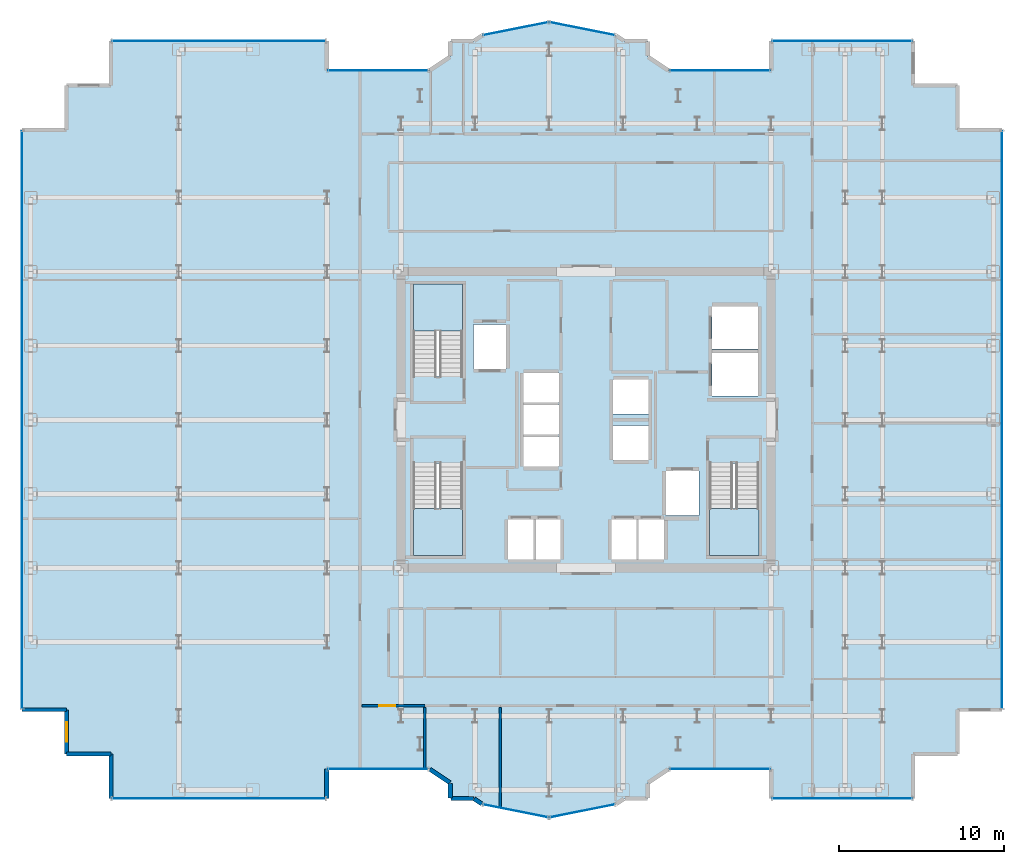
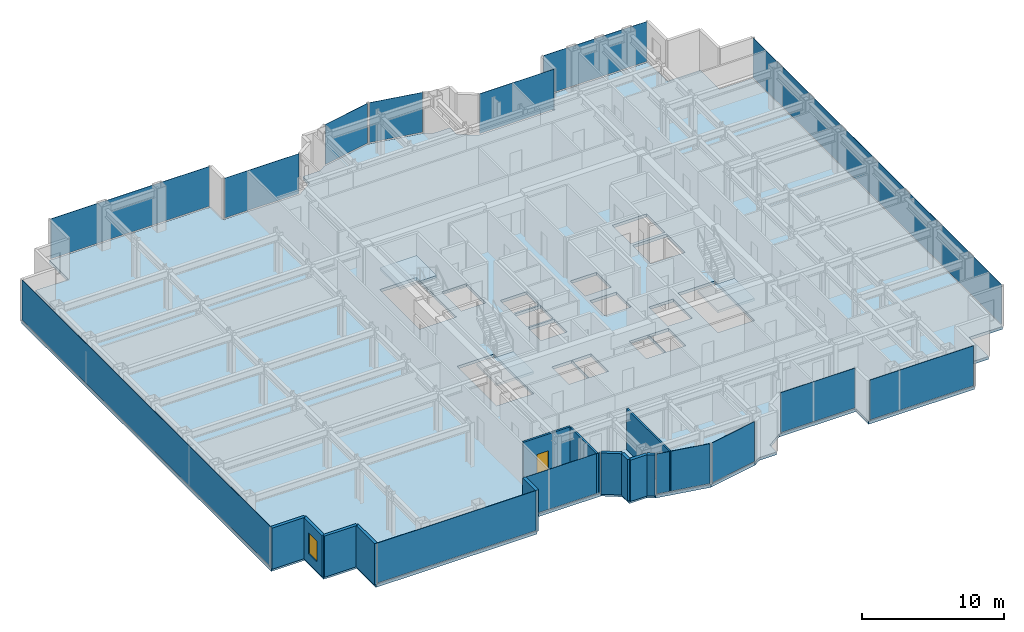
# One storey, part 16 of 23: 14 plates, 12 walls, 4 slabs, 1 door, 1 window, 2 openings, 17 elements without a shape of their own.
"""IFC4 building model written with IfcOpenShell, lengths in metres."""

from ifc_helpers import new_model, si_unit, direction, frame, frame_2d, origin, origin_2d, place, context, subcontext, project, spatial, polyline, rectangle, outline, extrude, source, transform, mapped, material, layer, layer_set, type_object, element, fill, aggregate, save


model = new_model("IFC4")

# Units and contexts
model_context = context("Model", 3, precision=1e-05, world=origin(), true_north=direction((0.0, 1.0)))
body_context = subcontext(model_context, "Body", "Model", "MODEL_VIEW")
ifc_project = project(units=[si_unit("LENGTHUNIT", "METRE"), si_unit("AREAUNIT", "SQUARE_METRE"), si_unit("VOLUMEUNIT", "CUBIC_METRE"), si_unit("PLANEANGLEUNIT", "RADIAN"), si_unit("MASSUNIT", "GRAM", prefix="KILO")], contexts=[model_context])

# Site, building, storey
site_placement = place(None, origin())
site = spatial("IfcSite", under=ifc_project, at=site_placement, CompositionType="ELEMENT")
building_placement = place(site_placement, origin())
building = spatial("IfcBuilding", under=site, at=building_placement, Name="Nefas-Gora Pilgrimage Tower", CompositionType="ELEMENT")
storey_placement = place(building_placement, frame((0.0, 0.0, 175.39990234375)))
storey = spatial("IfcBuildingStorey", under=building, at=storey_placement, Name="L43", CompositionType="ELEMENT", Elevation=175.39990234375)

# Slab
ifc_material_1 = material(Name="Concrete C40/50", Category="concrete")
ifc_layer_1 = layer(ifc_material_1, 0.25)
ifc_layer_set_1 = layer_set([ifc_layer_1], Name="Concrete C40/50")
slab_type_1 = type_object("IfcSlabType", Name="SLB-TWR-250", PredefinedType="FLOOR", material=ifc_layer_set_1)
slab_1_placement = place(storey_placement, frame((0.0, 0.0, -0.25)))
element("IfcSlab", 1, at=slab_1_placement, inside=storey, type_object=slab_type_1, Name="L43 Structural Floor Slab", PredefinedType="FLOOR", context=body_context, shape_type="SweptSolid", body=[
    extrude(outline(polyline([(5.01806640625, -21.219970703125), (11.25, -21.219970703125), (11.25, -23.02001953125), (19.8701171875, -23.02001953125), (19.8701171875, -20.320068359375), (22.570068359375, -20.320068359375), (22.570068359375, -17.6201171875), (25.27001953125, -17.6201171875), (25.27001953125, 17.6201171875), (22.570068359375, 17.6201171875), (22.570068359375, 20.320068359375), (19.8701171875, 20.320068359375), (19.8701171875, 23.02001953125), (11.25, 23.02001953125), (11.25, 21.219970703125), (5.01806640625, 21.219970703125), (3.75, 22.0673828125), (3.75, 23.02001953125), (2.32421875, 23.02001953125), (1.807373046875, 23.365234375), (-2.25, 24.17236328125), (-6.307373046875, 23.365234375), (-6.82421875, 23.02001953125), (-8.25, 23.02001953125), (-8.25, 22.0673828125), (-9.51806640625, 21.219970703125), (-15.75, 21.219970703125), (-15.75, 23.02001953125), (-28.8701171875, 23.02001953125), (-28.8701171875, 20.320068359375), (-31.570068359375, 20.320068359375), (-31.570068359375, 17.6201171875), (-34.27001953125, 17.6201171875), (-34.27001953125, -17.6201171875), (-31.570068359375, -17.6201171875), (-31.570068359375, -20.320068359375), (-28.8701171875, -20.320068359375), (-28.8701171875, -23.02001953125), (-15.75, -23.02001953125), (-15.75, -21.219970703125), (-9.51806640625, -21.219970703125), (-8.25, -22.0673828125), (-8.25, -23.02001953125), (-6.82421875, -23.02001953125), (-6.307373046875, -23.365234375), (-2.25, -24.17236328125), (1.807373046875, -23.365234375), (2.32421875, -23.02001953125), (3.75, -23.02001953125), (3.75, -22.0673828125), (5.01806640625, -21.219970703125)]), holes=[polyline([(-10.5, 2.639892578125), (-10.5, 8.25), (-7.5, 8.25), (-7.5, 2.639892578125), (-10.5, 2.639892578125)]), polyline([(10.5, -2.639892578125), (10.5, -8.25), (7.5, -8.25), (7.5, -2.639892578125), (10.5, -2.639892578125)]), polyline([(-7.5, -2.639892578125), (-7.5, -8.25), (-10.5, -8.25), (-10.5, -2.639892578125), (-7.5, -2.639892578125)]), polyline([(-6.85009765625, 5.800048828125), (-4.85009765625, 5.800048828125), (-4.85009765625, 3.10009765625), (-6.85009765625, 3.10009765625), (-6.85009765625, 5.800048828125)]), polyline([(4.85009765625, -3.10009765625), (6.85009765625, -3.10009765625), (6.85009765625, -5.800048828125), (4.85009765625, -5.800048828125), (4.85009765625, -3.10009765625)]), polyline([(7.64990234375, 4.050048828125), (10.449951171875, 4.050048828125), (10.449951171875, 1.449951171875), (7.64990234375, 1.449951171875), (7.64990234375, 4.050048828125)]), polyline([(7.64990234375, 6.89990234375), (10.449951171875, 6.89990234375), (10.449951171875, 4.300048828125), (7.64990234375, 4.300048828125), (7.64990234375, 6.89990234375)]), polyline([(-4.75, -6.050048828125), (-3.14990234375, -6.050048828125), (-3.14990234375, -8.5), (-4.75, -8.5), (-4.75, -6.050048828125)]), polyline([(-3.10009765625, -6.050048828125), (-1.550048828125, -6.050048828125), (-1.550048828125, -8.5), (-3.10009765625, -8.5), (-3.10009765625, -6.050048828125)]), polyline([(1.550048828125, -6.050048828125), (3.10009765625, -6.050048828125), (3.10009765625, -8.5), (1.550048828125, -8.5), (1.550048828125, -6.050048828125)]), polyline([(3.14990234375, -6.050048828125), (4.75, -6.050048828125), (4.75, -8.5), (3.14990234375, -8.5), (3.14990234375, -6.050048828125)]), polyline([(-3.800048828125, -1.050048828125), (-1.64990234375, -1.050048828125), (-1.64990234375, -2.85009765625), (-3.800048828125, -2.85009765625), (-3.800048828125, -1.050048828125)]), polyline([(-3.800048828125, 0.89990234375), (-1.64990234375, 0.89990234375), (-1.64990234375, -0.89990234375), (-3.800048828125, -0.89990234375), (-3.800048828125, 0.89990234375)]), polyline([(-3.800048828125, 2.85009765625), (-1.64990234375, 2.85009765625), (-1.64990234375, 1.050048828125), (-3.800048828125, 1.050048828125), (-3.800048828125, 2.85009765625)]), polyline([(1.64990234375, -0.35009765625), (3.800048828125, -0.35009765625), (3.800048828125, -2.449951171875), (1.64990234375, -2.449951171875), (1.64990234375, -0.35009765625)]), polyline([(1.64990234375, 2.449951171875), (3.800048828125, 2.449951171875), (3.800048828125, 0.35009765625), (1.64990234375, 0.35009765625), (1.64990234375, 2.449951171875)])]), origin(), (0.0, 0.0, 1.0), 0.25),
])

# Stair, slab
ifc_material_2 = material(Name="Concrete C45/55", Category="concrete")
stair_type = type_object("IfcStairType", Name="STR-1400-R1727", PredefinedType="HALF_TURN_STAIR", material=ifc_material_2)
stair_1_placement = place(storey_placement, origin())
stair_1 = element("IfcStair", 2, at=stair_1_placement, inside=storey, type_object=stair_type, Name="L43 Pressurised Tower Exit Stair ST-01", PredefinedType="HALF_TURN_STAIR")
ifc_layer_2 = layer(ifc_material_1, 0.199951171875)
ifc_layer_set_2 = layer_set([ifc_layer_2], Name="Concrete C40/50")
slab_type_2 = type_object("IfcSlabType", Name="STR-LAND-200", PredefinedType="LANDING", material=ifc_layer_set_2)
slab_2_placement = place(storey_placement, frame((0.0, 0.0, 1.7001953125)))
slab_2 = element("IfcSlab", 3, at=slab_2_placement, type_object=slab_type_2, Name="ST-01 landing 1", PredefinedType="LANDING", context=body_context, shape_type="SweptSolid", body=[
    extrude(outline(polyline([(-7.5, 5.39990234375), (-7.5, 8.25), (-10.5, 8.25), (-10.5, 5.39990234375), (-7.5, 5.39990234375)])), origin(), (0.0, 0.0, 1.0), 0.199951171875),
])
aggregate(stair_1, [slab_2])

stair_2_placement = place(storey_placement, origin())
stair_2 = element("IfcStair", 4, at=stair_2_placement, inside=storey, type_object=stair_type, Name="L43 Pressurised Tower Exit Stair ST-02", PredefinedType="HALF_TURN_STAIR")
slab_3_placement = place(storey_placement, frame((0.0, 0.0, 1.7001953125)))
slab_3 = element("IfcSlab", 5, at=slab_3_placement, type_object=slab_type_2, Name="ST-02 landing 1", PredefinedType="LANDING", context=body_context, shape_type="SweptSolid", body=[
    extrude(outline(polyline([(7.5, -5.39990234375), (7.5, -8.25), (10.5, -8.25), (10.5, -5.39990234375), (7.5, -5.39990234375)])), origin(), (0.0, 0.0, 1.0), 0.199951171875),
])
aggregate(stair_2, [slab_3])

stair_3_placement = place(storey_placement, origin())
stair_3 = element("IfcStair", 6, at=stair_3_placement, inside=storey, type_object=stair_type, Name="L43 Pressurised Tower Exit Stair ST-03", PredefinedType="HALF_TURN_STAIR")
slab_4_placement = place(storey_placement, frame((0.0, 0.0, 1.7001953125)))
slab_4 = element("IfcSlab", 7, at=slab_4_placement, type_object=slab_type_2, Name="ST-03 landing 1", PredefinedType="LANDING", context=body_context, shape_type="SweptSolid", body=[
    extrude(outline(polyline([(-10.5, -5.39990234375), (-10.5, -8.25), (-7.5, -8.25), (-7.5, -5.39990234375), (-10.5, -5.39990234375)])), origin(), (0.0, 0.0, 1.0), 0.199951171875),
])
aggregate(stair_3, [slab_4])

# Curtain wall, plate
ifc_material_3 = material(Name="Dark ceramic-fritted solar-control aluminium-glass curtain wall", Category="aluminium")
ifc_layer_3 = layer(ifc_material_3, 0.219970703125)
ifc_layer_set_3 = layer_set([ifc_layer_3], Name="Dark ceramic-fritted solar-control aluminium-glass curtain wall")
curtain_wall_type_1 = type_object("IfcCurtainWallType", Name="CW-SYS-5", PredefinedType="NOTDEFINED", material=ifc_layer_set_3)
curtain_wall_1_placement = place(storey_placement, origin())
curtain_wall_1 = element("IfcCurtainWall", 8, at=curtain_wall_1_placement, inside=storey, type_object=curtain_wall_type_1, Name="L43 Unitised Curtain Wall CW5", PredefinedType="NOTDEFINED")
ifc_material_4 = material(Name="Dark ceramic-printed low-e insulated glass", Category="glass")
ifc_layer_4 = layer(ifc_material_4, 0.028076171875)
ifc_layer_set_4 = layer_set([ifc_layer_4], Name="Dark ceramic-printed low-e insulated glass")
plate_type_1 = type_object("IfcPlateType", Name="CWP-PNL-5", PredefinedType="CURTAIN_PANEL", material=ifc_layer_set_4)
shared_shape_1 = source(origin(), body_context, "Body", "SweptSolid", [
    extrude(rectangle(XDim=6.052001953125, YDim=0.028076171875, at=origin_2d()), origin(), (0.0, 0.0, 1.0), 3.43994140625),
])
plate_1_placement = place(storey_placement, frame((8.134033203125, -21.219970703125, 0.10009765625), z_axis=(0.0, 0.0, 1.0), x_axis=(1.0, 0.0, 0.0)))
plate_1 = element("IfcPlate", 9, at=plate_1_placement, type_object=plate_type_1, Name="CW5 Ceramic-Fritted Glazing Panel 1", PredefinedType="CURTAIN_PANEL", context=body_context, shape_type="MappedRepresentation", body=[
    mapped(shared_shape_1, transform((0.0, 0.0, 0.0), x_axis=(1.0, 0.0, 0.0), y_axis=(0.0, 1.0, 0.0), z_axis=(0.0, 0.0, 1.0), scale=1.0)),
])
aggregate(curtain_wall_1, [plate_1])

curtain_wall_2_placement = place(storey_placement, origin())
curtain_wall_2 = element("IfcCurtainWall", 10, at=curtain_wall_2_placement, inside=storey, type_object=curtain_wall_type_1, Name="L43 Unitised Curtain Wall CW5", PredefinedType="NOTDEFINED")
plate_2_placement = place(storey_placement, frame((8.134033203125, 21.219970703125, 0.10009765625), z_axis=(0.0, 0.0, 1.0), x_axis=(-1.0, 0.0, 0.0)))
plate_2 = element("IfcPlate", 11, at=plate_2_placement, type_object=plate_type_1, Name="CW5 Ceramic-Fritted Glazing Panel 1", PredefinedType="CURTAIN_PANEL", context=body_context, shape_type="MappedRepresentation", body=[
    mapped(shared_shape_1, transform((0.0, 0.0, 0.0), x_axis=(1.0, 0.0, 0.0), y_axis=(0.0, 1.0, 0.0), z_axis=(0.0, 0.0, 1.0), scale=1.0)),
])
aggregate(curtain_wall_2, [plate_2])

curtain_wall_3_placement = place(storey_placement, origin())
curtain_wall_3 = element("IfcCurtainWall", 12, at=curtain_wall_3_placement, inside=storey, type_object=curtain_wall_type_1, Name="L43 Unitised Curtain Wall CW5", PredefinedType="NOTDEFINED")
plate_3_placement = place(storey_placement, frame((-12.634033203125, 21.219970703125, 0.10009765625), z_axis=(0.0, 0.0, 1.0), x_axis=(-1.0, 0.0, 0.0)))
plate_3 = element("IfcPlate", 13, at=plate_3_placement, type_object=plate_type_1, Name="CW5 Ceramic-Fritted Glazing Panel 1", PredefinedType="CURTAIN_PANEL", context=body_context, shape_type="MappedRepresentation", body=[
    mapped(shared_shape_1, transform((0.0, 0.0, 0.0), x_axis=(1.0, 0.0, 0.0), y_axis=(0.0, 1.0, 0.0), z_axis=(0.0, 0.0, 1.0), scale=1.0)),
])
aggregate(curtain_wall_3, [plate_3])

curtain_wall_4_placement = place(storey_placement, origin())
curtain_wall_4 = element("IfcCurtainWall", 14, at=curtain_wall_4_placement, inside=storey, type_object=curtain_wall_type_1, Name="L43 Unitised Curtain Wall CW5", PredefinedType="NOTDEFINED")
plate_4_placement = place(storey_placement, frame((-12.634033203125, -21.219970703125, 0.10009765625), z_axis=(0.0, 0.0, 1.0), x_axis=(1.0, 0.0, 0.0)))
plate_4 = element("IfcPlate", 15, at=plate_4_placement, type_object=plate_type_1, Name="CW5 Ceramic-Fritted Glazing Panel 1", PredefinedType="CURTAIN_PANEL", context=body_context, shape_type="MappedRepresentation", body=[
    mapped(shared_shape_1, transform((0.0, 0.0, 0.0), x_axis=(1.0, 0.0, 0.0), y_axis=(0.0, 1.0, 0.0), z_axis=(0.0, 0.0, 1.0), scale=1.0)),
])
aggregate(curtain_wall_4, [plate_4])

curtain_wall_5_placement = place(storey_placement, origin())
curtain_wall_5 = element("IfcCurtainWall", 16, at=curtain_wall_5_placement, inside=storey, type_object=curtain_wall_type_1, Name="L43 Unitised Curtain Wall CW5", PredefinedType="NOTDEFINED")
shared_shape_2 = source(origin(), body_context, "Body", "SweptSolid", [
    extrude(rectangle(XDim=3.956787109375, YDim=0.028076171875, at=origin_2d()), origin(), (0.0, 0.0, 1.0), 3.43994140625),
])
plate_5_placement = place(storey_placement, frame((-0.22119140625, 23.768798828125, 0.10009765625), z_axis=(0.0, 0.0, 1.0), x_axis=(-0.980782896852, 0.195102304554, 0.0)))
plate_5 = element("IfcPlate", 17, at=plate_5_placement, type_object=plate_type_1, Name="CW5 Ceramic-Fritted Glazing Panel 1", PredefinedType="CURTAIN_PANEL", context=body_context, shape_type="MappedRepresentation", body=[
    mapped(shared_shape_2, transform((0.0, 0.0, 0.0), x_axis=(1.0, 0.0, 0.0), y_axis=(0.0, 1.0, 0.0), z_axis=(0.0, 0.0, 1.0), scale=1.0)),
])
aggregate(curtain_wall_5, [plate_5])

curtain_wall_6_placement = place(storey_placement, origin())
curtain_wall_6 = element("IfcCurtainWall", 18, at=curtain_wall_6_placement, inside=storey, type_object=curtain_wall_type_1, Name="L43 Unitised Curtain Wall CW5", PredefinedType="NOTDEFINED")
plate_6_placement = place(storey_placement, frame((-4.278564453125, 23.768798828125, 0.10009765625), z_axis=(0.0, 0.0, 1.0), x_axis=(-0.980782896852, -0.195102304554, 0.0)))
plate_6 = element("IfcPlate", 19, at=plate_6_placement, type_object=plate_type_1, Name="CW5 Ceramic-Fritted Glazing Panel 1", PredefinedType="CURTAIN_PANEL", context=body_context, shape_type="MappedRepresentation", body=[
    mapped(shared_shape_2, transform((0.0, 0.0, 0.0), x_axis=(1.0, 0.0, 0.0), y_axis=(0.0, 1.0, 0.0), z_axis=(0.0, 0.0, 1.0), scale=1.0)),
])
aggregate(curtain_wall_6, [plate_6])

curtain_wall_7_placement = place(storey_placement, origin())
curtain_wall_7 = element("IfcCurtainWall", 20, at=curtain_wall_7_placement, inside=storey, type_object=curtain_wall_type_1, Name="L43 Unitised Curtain Wall CW5", PredefinedType="NOTDEFINED")
plate_7_placement = place(storey_placement, frame((-4.278564453125, -23.768798828125, 0.10009765625), z_axis=(0.0, 0.0, 1.0), x_axis=(0.980782896852, -0.195102304554, 0.0)))
plate_7 = element("IfcPlate", 21, at=plate_7_placement, type_object=plate_type_1, Name="CW5 Ceramic-Fritted Glazing Panel 1", PredefinedType="CURTAIN_PANEL", context=body_context, shape_type="MappedRepresentation", body=[
    mapped(shared_shape_2, transform((0.0, 0.0, 0.0), x_axis=(1.0, 0.0, 0.0), y_axis=(0.0, 1.0, 0.0), z_axis=(0.0, 0.0, 1.0), scale=1.0)),
])
aggregate(curtain_wall_7, [plate_7])

curtain_wall_8_placement = place(storey_placement, origin())
curtain_wall_8 = element("IfcCurtainWall", 22, at=curtain_wall_8_placement, inside=storey, type_object=curtain_wall_type_1, Name="L43 Unitised Curtain Wall CW5", PredefinedType="NOTDEFINED")
plate_8_placement = place(storey_placement, frame((-0.221435546875, -23.768798828125, 0.10009765625), z_axis=(0.0, 0.0, 1.0), x_axis=(0.980782896852, 0.195102304554, 0.0)))
plate_8 = element("IfcPlate", 23, at=plate_8_placement, type_object=plate_type_1, Name="CW5 Ceramic-Fritted Glazing Panel 1", PredefinedType="CURTAIN_PANEL", context=body_context, shape_type="MappedRepresentation", body=[
    mapped(shared_shape_2, transform((0.0, 0.0, 0.0), x_axis=(1.0, 0.0, 0.0), y_axis=(0.0, 1.0, 0.0), z_axis=(0.0, 0.0, 1.0), scale=1.0)),
])
aggregate(curtain_wall_8, [plate_8])

ifc_layer_5 = layer(ifc_material_3, 0.219970703125)
ifc_layer_set_5 = layer_set([ifc_layer_5], Name="Dark ceramic-fritted solar-control aluminium-glass curtain wall")
curtain_wall_type_2 = type_object("IfcCurtainWallType", Name="CW-SYS-3", PredefinedType="NOTDEFINED", material=ifc_layer_set_5)
curtain_wall_9_placement = place(storey_placement, origin())
curtain_wall_9 = element("IfcCurtainWall", 24, at=curtain_wall_9_placement, inside=storey, type_object=curtain_wall_type_2, Name="L43 Unitised Curtain Wall CW3", PredefinedType="NOTDEFINED")
ifc_layer_6 = layer(ifc_material_4, 0.033935546875)
ifc_layer_set_6 = layer_set([ifc_layer_6], Name="Dark ceramic-printed low-e insulated glass")
plate_type_2 = type_object("IfcPlateType", Name="CWP-PNL-3", PredefinedType="CURTAIN_PANEL", material=ifc_layer_set_6)
shared_shape_3 = source(origin(), body_context, "Body", "SweptSolid", [
    extrude(rectangle(XDim=8.43994140625, YDim=0.033935546875, at=origin_2d()), origin(), (0.0, 0.0, 1.0), 3.43994140625),
])
plate_9_placement = place(storey_placement, frame((15.56005859375, -23.02001953125, 0.10009765625), z_axis=(0.0, 0.0, 1.0), x_axis=(1.0, 0.0, 0.0)))
plate_9 = element("IfcPlate", 25, at=plate_9_placement, type_object=plate_type_2, Name="CW3 Ceramic-Fritted Glazing Panel 1", PredefinedType="CURTAIN_PANEL", context=body_context, shape_type="MappedRepresentation", body=[
    mapped(shared_shape_3, transform((0.0, 0.0, 0.0), x_axis=(1.0, 0.0, 0.0), y_axis=(0.0, 1.0, 0.0), z_axis=(0.0, 0.0, 1.0), scale=1.0)),
])
aggregate(curtain_wall_9, [plate_9])

curtain_wall_10_placement = place(storey_placement, origin())
curtain_wall_10 = element("IfcCurtainWall", 26, at=curtain_wall_10_placement, inside=storey, type_object=curtain_wall_type_2, Name="L43 Unitised Curtain Wall CW3", PredefinedType="NOTDEFINED")
plate_10_placement = place(storey_placement, frame((15.56005859375, 23.02001953125, 0.10009765625), z_axis=(0.0, 0.0, 1.0), x_axis=(-1.0, 0.0, 0.0)))
plate_10 = element("IfcPlate", 27, at=plate_10_placement, type_object=plate_type_2, Name="CW3 Ceramic-Fritted Glazing Panel 1", PredefinedType="CURTAIN_PANEL", context=body_context, shape_type="MappedRepresentation", body=[
    mapped(shared_shape_3, transform((0.0, 0.0, 0.0), x_axis=(1.0, 0.0, 0.0), y_axis=(0.0, 1.0, 0.0), z_axis=(0.0, 0.0, 1.0), scale=1.0)),
])
aggregate(curtain_wall_10, [plate_10])

curtain_wall_11_placement = place(storey_placement, origin())
curtain_wall_11 = element("IfcCurtainWall", 28, at=curtain_wall_11_placement, inside=storey, type_object=curtain_wall_type_2, Name="L43 Unitised Curtain Wall CW3", PredefinedType="NOTDEFINED")
shared_shape_4 = source(origin(), body_context, "Body", "SweptSolid", [
    extrude(rectangle(XDim=12.93994140625, YDim=0.033935546875, at=origin_2d()), origin(), (0.0, 0.0, 1.0), 3.43994140625),
])
plate_11_placement = place(storey_placement, frame((-22.31005859375, 23.02001953125, 0.10009765625), z_axis=(0.0, 0.0, 1.0), x_axis=(-1.0, 0.0, 0.0)))
plate_11 = element("IfcPlate", 29, at=plate_11_placement, type_object=plate_type_2, Name="CW3 Ceramic-Fritted Glazing Panel 1", PredefinedType="CURTAIN_PANEL", context=body_context, shape_type="MappedRepresentation", body=[
    mapped(shared_shape_4, transform((0.0, 0.0, 0.0), x_axis=(1.0, 0.0, 0.0), y_axis=(0.0, 1.0, 0.0), z_axis=(0.0, 0.0, 1.0), scale=1.0)),
])
aggregate(curtain_wall_11, [plate_11])

curtain_wall_12_placement = place(storey_placement, origin())
curtain_wall_12 = element("IfcCurtainWall", 30, at=curtain_wall_12_placement, inside=storey, type_object=curtain_wall_type_2, Name="L43 Unitised Curtain Wall CW3", PredefinedType="NOTDEFINED")
plate_12_placement = place(storey_placement, frame((-22.31005859375, -23.02001953125, 0.10009765625), z_axis=(0.0, 0.0, 1.0), x_axis=(1.0, 0.0, 0.0)))
plate_12 = element("IfcPlate", 31, at=plate_12_placement, type_object=plate_type_2, Name="CW3 Ceramic-Fritted Glazing Panel 1", PredefinedType="CURTAIN_PANEL", context=body_context, shape_type="MappedRepresentation", body=[
    mapped(shared_shape_4, transform((0.0, 0.0, 0.0), x_axis=(1.0, 0.0, 0.0), y_axis=(0.0, 1.0, 0.0), z_axis=(0.0, 0.0, 1.0), scale=1.0)),
])
aggregate(curtain_wall_12, [plate_12])

curtain_wall_13_placement = place(storey_placement, origin())
curtain_wall_13 = element("IfcCurtainWall", 32, at=curtain_wall_13_placement, inside=storey, type_object=curtain_wall_type_2, Name="L43 Unitised Curtain Wall CW3", PredefinedType="NOTDEFINED")
shared_shape_5 = source(origin(), body_context, "Body", "SweptSolid", [
    extrude(rectangle(XDim=35.06005859375, YDim=0.033935546875, at=origin_2d()), origin(), (0.0, 0.0, 1.0), 3.43994140625),
])
plate_13_placement = place(storey_placement, frame((25.27001953125, 0.0, 0.10009765625), z_axis=(0.0, 0.0, 1.0), x_axis=(0.0, 1.0, 0.0)))
plate_13 = element("IfcPlate", 33, at=plate_13_placement, type_object=plate_type_2, Name="CW3 Ceramic-Fritted Glazing Panel 1", PredefinedType="CURTAIN_PANEL", context=body_context, shape_type="MappedRepresentation", body=[
    mapped(shared_shape_5, transform((0.0, 0.0, 0.0), x_axis=(1.0, 0.0, 0.0), y_axis=(0.0, 1.0, 0.0), z_axis=(0.0, 0.0, 1.0), scale=1.0)),
])
aggregate(curtain_wall_13, [plate_13])

curtain_wall_14_placement = place(storey_placement, origin())
curtain_wall_14 = element("IfcCurtainWall", 34, at=curtain_wall_14_placement, inside=storey, type_object=curtain_wall_type_2, Name="L43 Unitised Curtain Wall CW3", PredefinedType="NOTDEFINED")
plate_14_placement = place(storey_placement, frame((-34.27001953125, 0.0, 0.10009765625), z_axis=(0.0, 0.0, 1.0), x_axis=(0.0, -1.0, 0.0)))
plate_14 = element("IfcPlate", 35, at=plate_14_placement, type_object=plate_type_2, Name="CW3 Ceramic-Fritted Glazing Panel 1", PredefinedType="CURTAIN_PANEL", context=body_context, shape_type="MappedRepresentation", body=[
    mapped(shared_shape_5, transform((0.0, 0.0, 0.0), x_axis=(1.0, 0.0, 0.0), y_axis=(0.0, 1.0, 0.0), z_axis=(0.0, 0.0, 1.0), scale=1.0)),
])
aggregate(curtain_wall_14, [plate_14])

# Walls
ifc_material_5 = material(Name="Precast concrete C40/50", Category="concrete")
ifc_layer_7 = layer(ifc_material_5, 0.260009765625)
ifc_layer_set_7 = layer_set([ifc_layer_7], Name="Precast concrete C40/50")
wall_type_1 = type_object("IfcWallType", Name="EW-PORTAL-260", PredefinedType="SOLIDWALL", material=ifc_layer_set_7)
shared_shape_6 = source(origin(), body_context, "Body", "SweptSolid", [
    extrude(rectangle(XDim=1.800048828125, YDim=0.260009765625, at=frame_2d((0.89990234375, 0.0))), origin(), (0.0, 0.0, 1.0), 3.550048828125),
])
wall_1_placement = place(storey_placement, frame((-15.75, -23.02001953125, 0.0), z_axis=(0.0, 0.0, 1.0), x_axis=(0.0, 1.0, 0.0)))
element("IfcWall", 36, at=wall_1_placement, inside=storey, type_object=wall_type_1, Name="L43 Lobe Shoulder Precast Spandrel Pier 28", PredefinedType="SOLIDWALL", context=body_context, shape_type="MappedRepresentation", body=[
    mapped(shared_shape_6, transform((0.0, 0.0, 0.0), x_axis=(1.0, 0.0, 0.0), y_axis=(0.0, 1.0, 0.0), z_axis=(0.0, 0.0, 1.0), scale=1.0)),
])
ifc_material_6 = material(Name="Precast concrete C45/55", Category="concrete")
ifc_layer_8 = layer(ifc_material_6, 0.239990234375)
ifc_layer_set_8 = layer_set([ifc_layer_8], Name="Precast concrete C45/55")
wall_type_2 = type_object("IfcWallType", Name="EW-SERR-240", PredefinedType="SHEAR", material=ifc_layer_set_8)
shared_shape_7 = source(origin(), body_context, "Body", "SweptSolid", [
    extrude(rectangle(XDim=2.699951171875, YDim=0.239990234375, at=frame_2d((1.35009765625, 0.0))), origin(), (0.0, 0.0, 1.0), 3.550048828125),
])
wall_2_placement = place(storey_placement, frame((-34.27001953125, -17.6201171875, 0.0), z_axis=(0.0, 0.0, 1.0), x_axis=(1.0, 0.0, 0.0)))
element("IfcWall", 37, at=wall_2_placement, inside=storey, type_object=wall_type_2, Name="L43 Serrated Corner Shear Pier Wall 24", PredefinedType="SHEAR", context=body_context, shape_type="MappedRepresentation", body=[
    mapped(shared_shape_7, transform((0.0, 0.0, 0.0), x_axis=(1.0, 0.0, 0.0), y_axis=(0.0, 1.0, 0.0), z_axis=(0.0, 0.0, 1.0), scale=1.0)),
])

# Wall, opening, window
wall_3_placement = place(storey_placement, frame((-31.570068359375, -17.6201171875, 0.0), z_axis=(0.0, 0.0, 1.0), x_axis=(0.0, -1.0, 0.0)))
wall_3 = element("IfcWall", 38, at=wall_3_placement, inside=storey, type_object=wall_type_2, Name="L43 Serrated Corner Shear Pier Wall 25", PredefinedType="SHEAR", context=body_context, shape_type="MappedRepresentation", body=[
    mapped(shared_shape_7, transform((0.0, 0.0, 0.0), x_axis=(1.0, 0.0, 0.0), y_axis=(0.0, 1.0, 0.0), z_axis=(0.0, 0.0, 1.0), scale=1.0)),
])
opening_1_placement = place(wall_3_placement, frame((0.75, 0.0, 0.85009765625)))
opening_1 = element("IfcOpeningElement", 39, at=opening_1_placement, cuts=wall_3, Name="Opening W-V1", PredefinedType="OPENING", context=body_context, shape_type="SweptSolid", body=[
    extrude(rectangle(XDim=1.199951171875, YDim=1.800048828125, at=frame_2d((0.60009765625, 0.89990234375))), frame((0.0, 0.1298828125, 0.0), z_axis=(0.0, -1.0, 0.0), x_axis=(1.0, 0.0, 0.0)), (0.0, 0.0, 1.0), 0.260009765625),
])
ifc_material_7 = material(Name="Dark ceramic-fritted operable aluminium-glass window", Category="aluminium")
window_type = type_object("IfcWindowType", Name="WIN-VENT-1200x1800", PartitioningType="SINGLE_PANEL", PredefinedType="WINDOW", material=ifc_material_7)
shared_shape_8 = source(origin(), body_context, "Body", "SweptSolid", [
    extrude(rectangle(XDim=1.199951171875, YDim=1.800048828125, at=frame_2d((0.60009765625, 0.89990234375))), frame((0.0, 0.030029296875, 0.0), z_axis=(0.0, -1.0, 0.0), x_axis=(1.0, 0.0, 0.0)), (0.0, 0.0, 1.0), 0.06005859375),
])
window_placement = place(opening_1_placement, origin())
window = element("IfcWindow", 40, at=window_placement, inside=storey, type_object=window_type, Name="L43 Operable Parallel-Outswing Window 25", OverallHeight=1.800048828125, OverallWidth=1.199951171875, PartitioningType="SINGLE_PANEL", PredefinedType="WINDOW", context=body_context, shape_type="MappedRepresentation", body=[
    mapped(shared_shape_8, transform((0.0, 0.0, 0.0), x_axis=(1.0, 0.0, 0.0), y_axis=(0.0, 1.0, 0.0), z_axis=(0.0, 0.0, 1.0), scale=1.0)),
])
fill(opening_1, window)

# Walls
for number, where, z_axis, x_axis, name in (
    (41, (-31.570068359375, -20.320068359375, 0.0), (0.0, 0.0, 1.0), (1.0, 0.0, 0.0), "L43 Serrated Corner Shear Pier Wall 26"),
    (42, (-28.8701171875, -20.320068359375, 0.0), (0.0, 0.0, 1.0), (0.0, -1.0, 0.0), "L43 Serrated Corner Shear Pier Wall 27"),
):
    element("IfcWall", number, at=place(storey_placement, frame(where, z_axis=z_axis, x_axis=x_axis)), inside=storey, type_object=wall_type_2, Name=name, PredefinedType="SHEAR", context=body_context, shape_type="MappedRepresentation", body=[
        mapped(shared_shape_7, transform((0.0, 0.0, 0.0), x_axis=(1.0, 0.0, 0.0), y_axis=(0.0, 1.0, 0.0), z_axis=(0.0, 0.0, 1.0), scale=1.0)),
    ])
shared_shape_9 = source(origin(), body_context, "Body", "SweptSolid", [
    extrude(rectangle(XDim=1.468994140625, YDim=0.260009765625, at=frame_2d((0.734375, 0.0))), origin(), (0.0, 0.0, 1.0), 3.550048828125),
])
wall_4_placement = place(storey_placement, frame((-9.49462890625, -21.235595703125, 0.0), z_axis=(0.0, 0.0, 1.0), x_axis=(0.831461760506, -0.555581983884, 0.0)))
element("IfcWall", 43, at=wall_4_placement, inside=storey, type_object=wall_type_1, Name="L43 Lobe Shoulder Precast Spandrel Pier 29", PredefinedType="SOLIDWALL", context=body_context, shape_type="MappedRepresentation", body=[
    mapped(shared_shape_9, transform((0.0, 0.0, 0.0), x_axis=(1.0, 0.0, 0.0), y_axis=(0.0, 1.0, 0.0), z_axis=(0.0, 0.0, 1.0), scale=1.0)),
])
shared_shape_10 = source(origin(), body_context, "Body", "SweptSolid", [
    extrude(rectangle(XDim=0.896728515625, YDim=0.260009765625, at=frame_2d((0.4482421875, 0.0))), origin(), (0.0, 0.0, 1.0), 3.550048828125),
])
wall_5_placement = place(storey_placement, frame((-8.25, -22.09521484375, 0.0), z_axis=(0.0, 0.0, 1.0), x_axis=(0.0, -1.0, 0.0)))
element("IfcWall", 44, at=wall_5_placement, inside=storey, type_object=wall_type_1, Name="L43 Lobe Shoulder Precast Spandrel Pier 30", PredefinedType="SOLIDWALL", context=body_context, shape_type="MappedRepresentation", body=[
    mapped(shared_shape_10, transform((0.0, 0.0, 0.0), x_axis=(1.0, 0.0, 0.0), y_axis=(0.0, 1.0, 0.0), z_axis=(0.0, 0.0, 1.0), scale=1.0)),
])
shared_shape_11 = source(origin(), body_context, "Body", "SweptSolid", [
    extrude(rectangle(XDim=1.369873046875, YDim=0.260009765625, at=frame_2d((0.68505859375, 0.0))), origin(), (0.0, 0.0, 1.0), 3.550048828125),
])
wall_6_placement = place(storey_placement, frame((-8.221923828125, -23.02001953125, 0.0), z_axis=(0.0, 0.0, 1.0), x_axis=(1.0, 0.0, 0.0)))
element("IfcWall", 45, at=wall_6_placement, inside=storey, type_object=wall_type_1, Name="L43 Lobe Shoulder Precast Spandrel Pier 31", PredefinedType="SOLIDWALL", context=body_context, shape_type="MappedRepresentation", body=[
    mapped(shared_shape_11, transform((0.0, 0.0, 0.0), x_axis=(1.0, 0.0, 0.0), y_axis=(0.0, 1.0, 0.0), z_axis=(0.0, 0.0, 1.0), scale=1.0)),
])
shared_shape_12 = source(origin(), body_context, "Body", "SweptSolid", [
    extrude(rectangle(XDim=0.5654296875, YDim=0.260009765625, at=frame_2d((0.28271484375, 0.0))), origin(), (0.0, 0.0, 1.0), 3.550048828125),
])
wall_7_placement = place(storey_placement, frame((-6.80078125, -23.03564453125, 0.0), z_axis=(0.0, 0.0, 1.0), x_axis=(0.831651492666, -0.555297933317, 0.0)))
element("IfcWall", 46, at=wall_7_placement, inside=storey, type_object=wall_type_1, Name="L43 Lobe Shoulder Precast Spandrel Pier 32", PredefinedType="SOLIDWALL", context=body_context, shape_type="MappedRepresentation", body=[
    mapped(shared_shape_12, transform((0.0, 0.0, 0.0), x_axis=(1.0, 0.0, 0.0), y_axis=(0.0, 1.0, 0.0), z_axis=(0.0, 0.0, 1.0), scale=1.0)),
])

# Wall, opening, door
ifc_material_8 = material(Name="Gypsum acoustic stud partition")
ifc_layer_9 = layer(ifc_material_8, 0.159912109375)
ifc_layer_set_9 = layer_set([ifc_layer_9], Name="Gypsum acoustic stud partition")
wall_type_3 = type_object("IfcWallType", Name="IW-CORR-160", PredefinedType="PARTITIONING", material=ifc_layer_set_9)
shared_shape_13 = source(origin(), body_context, "Body", "SweptSolid", [
    extrude(rectangle(XDim=3.8251953125, YDim=0.159912109375, at=frame_2d((1.91259765625, 0.0))), origin(), (0.0, 0.0, 1.0), 3.53515625),
])
wall_8_placement = place(storey_placement, frame((-13.6201171875, -17.3701171875, 0.0), z_axis=(0.0, 0.0, 1.0), x_axis=(1.0, 0.0, 0.0)))
wall_8 = element("IfcWall", 47, at=wall_8_placement, inside=storey, type_object=wall_type_3, Name="L43 Pilgrim Contemplative Lounge Partition Wall 64", PredefinedType="PARTITIONING", context=body_context, shape_type="MappedRepresentation", body=[
    mapped(shared_shape_13, transform((0.0, 0.0, 0.0), x_axis=(1.0, 0.0, 0.0), y_axis=(0.0, 1.0, 0.0), z_axis=(0.0, 0.0, 1.0), scale=1.0)),
])
opening_2_placement = place(wall_8_placement, frame((1.067138671875, 0.0, 0.0)))
opening_2 = element("IfcOpeningElement", 48, at=opening_2_placement, cuts=wall_8, Name="Opening ID-GR1", PredefinedType="OPENING", context=body_context, shape_type="SweptSolid", body=[
    extrude(rectangle(XDim=0.949951171875, YDim=2.10009765625, at=frame_2d((0.47509765625, 1.050048828125))), frame((0.0, 0.08984375, 0.0), z_axis=(0.0, -1.0, 0.0), x_axis=(1.0, 0.0, 0.0)), (0.0, 0.0, 1.0), 0.179931640625),
])
ifc_material_9 = material(Name="Solid core oak fire-rated guest entrance door")
door_type = type_object("IfcDoorType", Name="DR-INT-GUEST-950", OperationType="NOTDEFINED", PredefinedType="DOOR", material=ifc_material_9)
shared_shape_14 = source(origin(), body_context, "Body", "SweptSolid", [
    extrude(rectangle(XDim=0.949951171875, YDim=2.10009765625, at=frame_2d((0.47509765625, 1.050048828125))), frame((0.0, 0.02490234375, 0.0), z_axis=(0.0, -1.0, 0.0), x_axis=(1.0, 0.0, 0.0)), (0.0, 0.0, 1.0), 0.050048828125),
])
door_placement = place(opening_2_placement, origin())
door = element("IfcDoor", 49, at=door_placement, inside=storey, type_object=door_type, Name="L43 Pilgrim Contemplative Lounge Door 29", OperationType="SINGLE_SWING_RIGHT", OverallHeight=2.10009765625, OverallWidth=0.949951171875, PredefinedType="DOOR", context=body_context, shape_type="MappedRepresentation", body=[
    mapped(shared_shape_14, transform((0.0, 0.0, 0.0), x_axis=(1.0, 0.0, 0.0), y_axis=(0.0, 1.0, 0.0), z_axis=(0.0, 0.0, 1.0), scale=1.0)),
])
fill(opening_2, door)

# Walls
ifc_material_10 = material(Name="Gypsum twin-stud partition")
ifc_layer_10 = layer(ifc_material_10, 0.139892578125)
ifc_layer_set_10 = layer_set([ifc_layer_10], Name="Gypsum twin-stud partition")
wall_type_4 = type_object("IfcWallType", Name="IW-UNIT-140", PredefinedType="PARTITIONING", material=ifc_layer_set_10)
shared_shape_15 = source(origin(), body_context, "Body", "SweptSolid", [
    extrude(rectangle(XDim=3.75, YDim=0.139892578125, at=frame_2d((1.875, 0.0))), origin(), (0.0, 0.0, 1.0), 3.53515625),
])
wall_9_placement = place(storey_placement, frame((-9.804931640625, -21.239990234375, 0.0), z_axis=(0.0, 0.0, 1.0), x_axis=(0.0, 1.0, 0.0)))
element("IfcWall", 50, at=wall_9_placement, inside=storey, type_object=wall_type_4, Name="L43 Pilgrim Contemplative Lounge Partition Wall 65", PredefinedType="PARTITIONING", context=body_context, shape_type="MappedRepresentation", body=[
    mapped(shared_shape_15, transform((0.0, 0.0, 0.0), x_axis=(1.0, 0.0, 0.0), y_axis=(0.0, 1.0, 0.0), z_axis=(0.0, 0.0, 1.0), scale=1.0)),
])
shared_shape_16 = source(origin(), body_context, "Body", "SweptSolid", [
    extrude(rectangle(XDim=6.116943359375, YDim=0.139892578125, at=frame_2d((3.05859375, 0.0))), origin(), (0.0, 0.0, 1.0), 3.53515625),
])
wall_10_placement = place(storey_placement, frame((-5.205078125, -23.60693359375, 0.0), z_axis=(0.0, 0.0, 1.0), x_axis=(0.0, 1.0, 0.0)))
element("IfcWall", 51, at=wall_10_placement, inside=storey, type_object=wall_type_4, Name="L43 Pilgrim Contemplative Lounge Partition Wall 71", PredefinedType="PARTITIONING", context=body_context, shape_type="MappedRepresentation", body=[
    mapped(shared_shape_16, transform((0.0, 0.0, 0.0), x_axis=(1.0, 0.0, 0.0), y_axis=(0.0, 1.0, 0.0), z_axis=(0.0, 0.0, 1.0), scale=1.0)),
])

save(model, "model.ifc")
